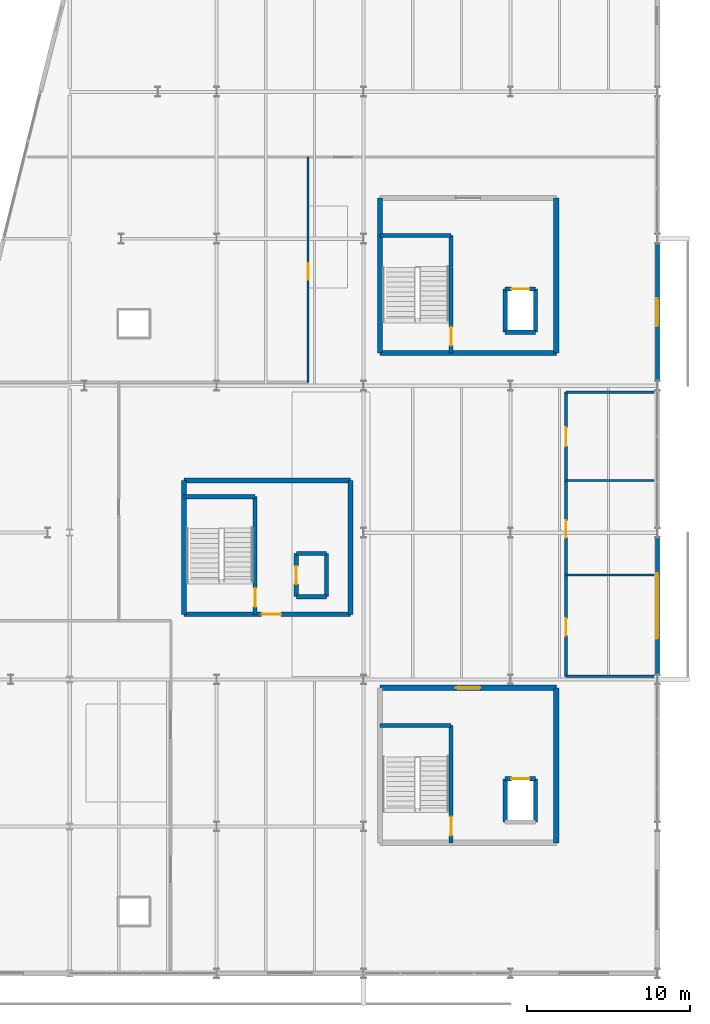
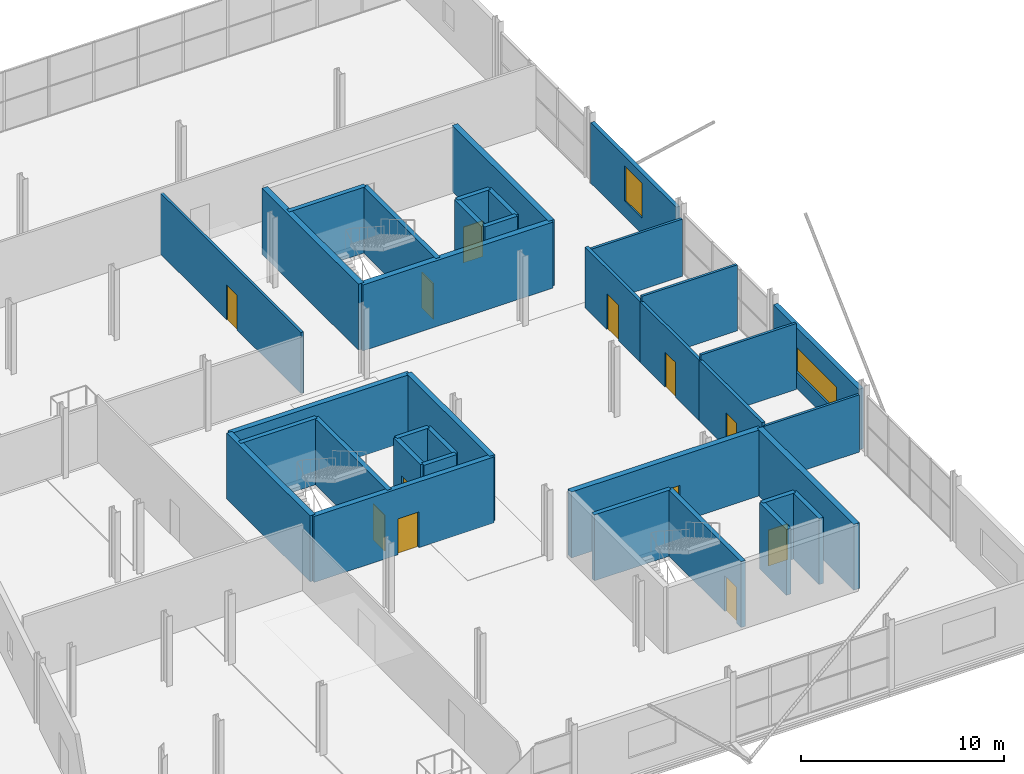
# One storey, part 56 of 59: 36 walls, 12 doors, 2 windows, 14 openings.
"""IFC4 building model written with IfcOpenShell, lengths in metres."""

from ifc_helpers import new_model, si_unit, direction, frame, frame_2d, origin, place, context, subcontext, project, spatial, rectangle, extrude, material, layer, layer_set, type_object, element, fill, save


model = new_model("IFC4")

# Units and contexts
model_context = context("Model", 3, precision=1e-05, world=origin(), true_north=direction((0.0, 1.0)))
body_context = subcontext(model_context, "Body", "Model", "MODEL_VIEW")
ifc_project = project(units=[si_unit("LENGTHUNIT", "METRE"), si_unit("AREAUNIT", "SQUARE_METRE"), si_unit("VOLUMEUNIT", "CUBIC_METRE"), si_unit("PLANEANGLEUNIT", "RADIAN"), si_unit("MASSUNIT", "GRAM", prefix="KILO")], contexts=[model_context])

# Site, building, storey
site_placement = place(None, origin())
site = spatial("IfcSite", under=ifc_project, at=site_placement, CompositionType="ELEMENT")
building_placement = place(site_placement, origin())
building = spatial("IfcBuilding", under=site, at=building_placement, Name="Deido Ridge Mobility Hub", CompositionType="ELEMENT")
storey_placement = place(building_placement, frame((0.0, 0.0, 21.0)))
storey = spatial("IfcBuildingStorey", under=building, at=storey_placement, Name="L05", CompositionType="ELEMENT", Elevation=21.0)

# Wall, opening, window
ifc_material_1 = material(Name="Powder-coated aluminium cladding EN AW-3003", Category="aluminium")
ifc_layer_1 = layer(ifc_material_1, 0.22509765625, Name="Powder-coated aluminium cladding EN AW-3003")
ifc_layer_set_1 = layer_set([ifc_layer_1], Name="Powder-coated aluminium cladding EN AW-3003")
wall_type_1 = type_object("IfcWallType", Name="WL-EXT-ALU-225", PredefinedType="STANDARD", material=ifc_layer_set_1)
wall_1_placement = place(storey_placement, frame((180.0, 36.300048828125, 0.0), z_axis=(0.0, 0.0, 1.0), x_axis=(0.0, 1.0, 0.0)))
wall_1 = element("IfcWall", 1, at=wall_1_placement, inside=storey, type_object=wall_type_1, Name="Exterior wall EW6", PredefinedType="STANDARD", context=body_context, shape_type="SweptSolid", body=[
    extrude(rectangle(XDim=8.39990234375, YDim=0.22509765625, at=frame_2d((4.199951171875, 0.0))), origin(), (0.0, 0.0, 1.0), 3.635009765625),
])
opening_1_placement = place(wall_1_placement, frame((3.35009765625, 0.0, 0.949951171875)))
opening_1 = element("IfcOpeningElement", 2, at=opening_1_placement, cuts=wall_1, Name="Opening W22", PredefinedType="OPENING", context=body_context, shape_type="SweptSolid", body=[
    extrude(rectangle(XDim=1.699951171875, YDim=2.10009765625, at=frame_2d((0.85009765625, 1.050048828125))), frame((0.0, 0.12255859375, 0.0), z_axis=(0.0, -1.0, 0.0), x_axis=(1.0, 0.0, 0.0)), (0.0, 0.0, 1.0), 0.2451171875),
])
ifc_material_2 = material(Name="Laminated solar-control low-E glass", Category="glass")
window_type_1 = type_object("IfcWindowType", Name="WN-ALU-1700X2100", PartitioningType="SINGLE_PANEL", PredefinedType="WINDOW", material=ifc_material_2)
window_1_placement = place(opening_1_placement, origin())
window_1 = element("IfcWindow", 3, at=window_1_placement, inside=storey, type_object=window_type_1, Name="Exterior window W22", OverallHeight=2.10009765625, OverallWidth=1.699951171875, PartitioningType="SINGLE_PANEL", PredefinedType="WINDOW", context=body_context, shape_type="SweptSolid", body=[
    extrude(rectangle(XDim=1.699951171875, YDim=2.10009765625, at=frame_2d((0.85009765625, 1.050048828125))), frame((0.0, 0.030029296875, 0.0), z_axis=(0.0, -1.0, 0.0), x_axis=(1.0, 0.0, 0.0)), (0.0, 0.0, 1.0), 0.06005859375),
])
fill(opening_1, window_1)

ifc_material_3 = material(Name="Concrete blockwork masonry", Category="masonry")
ifc_layer_2 = layer(ifc_material_3, 0.264892578125, Name="Concrete blockwork masonry")
ifc_layer_set_2 = layer_set([ifc_layer_2], Name="Concrete blockwork masonry")
wall_type_2 = type_object("IfcWallType", Name="WL-EXT-BLK-265", PredefinedType="STANDARD", material=ifc_layer_set_2)
wall_2_placement = place(storey_placement, frame((180.0, 18.300048828125, 0.0), z_axis=(0.0, 0.0, 1.0), x_axis=(0.0, 1.0, 0.0)))
wall_2 = element("IfcWall", 4, at=wall_2_placement, inside=storey, type_object=wall_type_2, Name="Exterior wall EW3", PredefinedType="STANDARD", context=body_context, shape_type="SweptSolid", body=[
    extrude(rectangle(XDim=8.39990234375, YDim=0.264892578125, at=frame_2d((4.199951171875, 0.0))), origin(), (0.0, 0.0, 1.0), 3.635009765625),
])
opening_2_placement = place(wall_2_placement, frame((2.199951171875, 0.0, 0.949951171875)))
opening_2 = element("IfcOpeningElement", 5, at=opening_2_placement, cuts=wall_2, Name="Opening W20", PredefinedType="OPENING", context=body_context, shape_type="SweptSolid", body=[
    extrude(rectangle(XDim=4.0, YDim=1.5, at=frame_2d((2.0, 0.75))), frame((0.0, 0.142578125, 0.0), z_axis=(0.0, -1.0, 0.0), x_axis=(1.0, 0.0, 0.0)), (0.0, 0.0, 1.0), 0.284912109375),
])
window_type_2 = type_object("IfcWindowType", Name="WN-ALU-4000X1500", PartitioningType="DOUBLE_PANEL_VERTICAL", PredefinedType="WINDOW", material=ifc_material_2)
window_2_placement = place(opening_2_placement, origin())
window_2 = element("IfcWindow", 6, at=window_2_placement, inside=storey, type_object=window_type_2, Name="Exterior window W20", OverallHeight=1.5, OverallWidth=4.0, PartitioningType="SINGLE_PANEL", PredefinedType="WINDOW", context=body_context, shape_type="SweptSolid", body=[
    extrude(rectangle(XDim=4.0, YDim=1.5, at=frame_2d((2.0, 0.75))), frame((0.0, 0.030029296875, 0.0), z_axis=(0.0, -1.0, 0.0), x_axis=(1.0, 0.0, 0.0)), (0.0, 0.0, 1.0), 0.06005859375),
])
fill(opening_2, window_2)

# Walls
ifc_layer_3 = layer(ifc_material_3, 0.139892578125, Name="Concrete blockwork masonry")
ifc_layer_set_3 = layer_set([ifc_layer_3], Name="Concrete blockwork masonry")
wall_type_3 = type_object("IfcWallType", Name="WL-PRT-BLK-140", PredefinedType="PARTITIONING", material=ifc_layer_set_3)
wall_3_placement = place(storey_placement, frame((174.39990234375, 18.199951171875, 0.0), z_axis=(0.0, 0.0, 1.0), x_axis=(1.0, 0.0, 0.0)))
element("IfcWall", 7, at=wall_3_placement, inside=storey, type_object=wall_type_3, Name="WC cross wall (L05)", PredefinedType="PARTITIONING", context=body_context, shape_type="SweptSolid", body=[
    extrude(rectangle(XDim=5.400146484375, YDim=0.139892578125, at=frame_2d((2.7001953125, 0.0))), origin(), (0.0, 0.0, 1.0), 3.43505859375),
])
for number, where, z_axis, x_axis, name in (
    (8, (174.39990234375, 24.39990234375, 0.0), (0.0, 0.0, 1.0), (1.0, 0.0, 0.0), "WC cross wall (L05)"),
    (9, (174.39990234375, 30.199951171875, 0.0), (0.0, 0.0, 1.0), (1.0, 0.0, 0.0), "WC cross wall (L05)"),
):
    element("IfcWall", number, at=place(storey_placement, frame(where, z_axis=z_axis, x_axis=x_axis)), inside=storey, type_object=wall_type_3, Name=name, PredefinedType="PARTITIONING", context=body_context, shape_type="SweptSolid", body=[
        extrude(rectangle(XDim=5.400146484375, YDim=0.139892578125, at=frame_2d((2.7001953125, 0.0))), origin(), (0.0, 0.0, 1.0), 3.9599609375),
    ])
wall_4_placement = place(storey_placement, frame((174.39990234375, 35.60009765625, 0.0), z_axis=(0.0, 0.0, 1.0), x_axis=(1.0, 0.0, 0.0)))
element("IfcWall", 10, at=wall_4_placement, inside=storey, type_object=wall_type_3, Name="WC cross wall (L05)", PredefinedType="PARTITIONING", context=body_context, shape_type="SweptSolid", body=[
    extrude(rectangle(XDim=5.400146484375, YDim=0.139892578125, at=frame_2d((2.7001953125, 0.0))), origin(), (0.0, 0.0, 1.0), 3.43505859375),
])

# Wall, opening, door
wall_5_placement = place(storey_placement, frame((158.60009765625, 36.199951171875, 0.0), z_axis=(0.0, 0.0, 1.0), x_axis=(0.0, 1.0, 0.0)))
wall_5 = element("IfcWall", 11, at=wall_5_placement, inside=storey, type_object=wall_type_3, Name="V6 north-west room wall (L05)", PredefinedType="PARTITIONING", context=body_context, shape_type="SweptSolid", body=[
    extrude(rectangle(XDim=13.800048828125, YDim=0.139892578125, at=frame_2d((6.89990234375, 0.0))), origin(), (0.0, 0.0, 1.0), 3.6650390625),
])
opening_3_placement = place(wall_5_placement, frame((6.300048828125, 0.0, 0.0)))
opening_3 = element("IfcOpeningElement", 12, at=opening_3_placement, cuts=wall_5, Name="Opening DR-L05-187", PredefinedType="OPENING", context=body_context, shape_type="SweptSolid", body=[
    extrude(rectangle(XDim=1.0, YDim=2.10009765625, at=frame_2d((0.5, 1.050048828125))), frame((0.0, 0.080078125, 0.0), z_axis=(0.0, -1.0, 0.0), x_axis=(1.0, 0.0, 0.0)), (0.0, 0.0, 1.0), 0.159912109375),
])
ifc_material_4 = material(Name="Treated tropical hardwood timber D40", Category="wood")
door_type_1 = type_object("IfcDoorType", Name="DR-INT-1000X2100", OperationType="NOTDEFINED", PredefinedType="DOOR", material=ifc_material_4)
door_1_placement = place(opening_3_placement, origin())
door_1 = element("IfcDoor", 13, at=door_1_placement, inside=storey, type_object=door_type_1, Name="DR-I0187 V6 north-west room door (L05)", OperationType="SINGLE_SWING_LEFT", OverallHeight=2.10009765625, OverallWidth=1.0, PredefinedType="DOOR", context=body_context, shape_type="SweptSolid", body=[
    extrude(rectangle(XDim=1.0, YDim=2.10009765625, at=frame_2d((0.5, 1.050048828125))), frame((0.0, 0.02490234375, 0.0), z_axis=(0.0, -1.0, 0.0), x_axis=(1.0, 0.0, 0.0)), (0.0, 0.0, 1.0), 0.050048828125),
])
fill(opening_3, door_1)

ifc_layer_4 = layer(ifc_material_3, 0.169921875, Name="Concrete blockwork masonry")
ifc_layer_set_4 = layer_set([ifc_layer_4], Name="Concrete blockwork masonry")
wall_type_4 = type_object("IfcWallType", Name="WL-PRT-BLK-170", PredefinedType="PARTITIONING", material=ifc_layer_set_4)
wall_6_placement = place(storey_placement, frame((174.39990234375, 24.39990234375, 0.0), z_axis=(0.0, 0.0, 1.0), x_axis=(0.0, 1.0, 0.0)))
wall_6 = element("IfcWall", 14, at=wall_6_placement, inside=storey, type_object=wall_type_4, Name="Female WC west wall (L05)", PredefinedType="PARTITIONING", context=body_context, shape_type="SweptSolid", body=[
    extrude(rectangle(XDim=5.800048828125, YDim=0.169921875, at=frame_2d((2.89990234375, 0.0))), origin(), (0.0, 0.0, 1.0), 3.635009765625),
])
opening_4_placement = place(wall_6_placement, frame((2.300048828125, 0.0, 0.0)))
opening_4 = element("IfcOpeningElement", 15, at=opening_4_placement, cuts=wall_6, Name="Opening DR-L05-182", PredefinedType="OPENING", context=body_context, shape_type="SweptSolid", body=[
    extrude(rectangle(XDim=1.050048828125, YDim=2.10009765625, at=frame_2d((0.52490234375, 1.050048828125))), frame((0.0, 0.094970703125, 0.0), z_axis=(0.0, -1.0, 0.0), x_axis=(1.0, 0.0, 0.0)), (0.0, 0.0, 1.0), 0.18994140625),
])
ifc_material_5 = material(Name="Galvanised steel work", Category="steel")
door_type_2 = type_object("IfcDoorType", Name="DR-FD60-1050X2100", OperationType="NOTDEFINED", PredefinedType="DOOR", material=ifc_material_5)
door_2_placement = place(opening_4_placement, origin())
door_2 = element("IfcDoor", 16, at=door_2_placement, inside=storey, type_object=door_type_2, Name="DR-I0182 Female WC door (L05)", OperationType="SINGLE_SWING_RIGHT", OverallHeight=2.10009765625, OverallWidth=1.050048828125, PredefinedType="DOOR", context=body_context, shape_type="SweptSolid", body=[
    extrude(rectangle(XDim=1.050048828125, YDim=2.10009765625, at=frame_2d((0.52490234375, 1.050048828125))), frame((0.0, 0.02490234375, 0.0), z_axis=(0.0, -1.0, 0.0), x_axis=(1.0, 0.0, 0.0)), (0.0, 0.0, 1.0), 0.050048828125),
])
fill(opening_4, door_2)

ifc_layer_5 = layer(ifc_material_3, 0.179931640625, Name="Concrete blockwork masonry")
ifc_layer_set_5 = layer_set([ifc_layer_5], Name="Concrete blockwork masonry")
wall_type_5 = type_object("IfcWallType", Name="WL-PRT-BLK-180", PredefinedType="PARTITIONING", material=ifc_layer_set_5)
wall_7_placement = place(storey_placement, frame((174.39990234375, 18.199951171875, 0.0), z_axis=(0.0, 0.0, 1.0), x_axis=(0.0, 1.0, 0.0)))
wall_7 = element("IfcWall", 17, at=wall_7_placement, inside=storey, type_object=wall_type_5, Name="Male WC west wall (L05)", PredefinedType="PARTITIONING", context=body_context, shape_type="SweptSolid", body=[
    extrude(rectangle(XDim=6.199951171875, YDim=0.179931640625, at=frame_2d((3.10009765625, 0.0))), origin(), (0.0, 0.0, 1.0), 3.635009765625),
])
opening_5_placement = place(wall_7_placement, frame((2.5, 0.0, 0.0)))
opening_5 = element("IfcOpeningElement", 18, at=opening_5_placement, cuts=wall_7, Name="Opening DR-L05-181", PredefinedType="OPENING", context=body_context, shape_type="SweptSolid", body=[
    extrude(rectangle(XDim=1.050048828125, YDim=2.10009765625, at=frame_2d((0.52490234375, 1.050048828125))), frame((0.0, 0.10009765625, 0.0), z_axis=(0.0, -1.0, 0.0), x_axis=(1.0, 0.0, 0.0)), (0.0, 0.0, 1.0), 0.199951171875),
])
door_3_placement = place(opening_5_placement, origin())
door_3 = element("IfcDoor", 19, at=door_3_placement, inside=storey, type_object=door_type_2, Name="DR-I0181 Male WC door (L05)", OperationType="SINGLE_SWING_LEFT", OverallHeight=2.10009765625, OverallWidth=1.050048828125, PredefinedType="DOOR", context=body_context, shape_type="SweptSolid", body=[
    extrude(rectangle(XDim=1.050048828125, YDim=2.10009765625, at=frame_2d((0.52490234375, 1.050048828125))), frame((0.0, 0.02490234375, 0.0), z_axis=(0.0, -1.0, 0.0), x_axis=(1.0, 0.0, 0.0)), (0.0, 0.0, 1.0), 0.050048828125),
])
fill(opening_5, door_3)

wall_8_placement = place(storey_placement, frame((174.39990234375, 30.199951171875, 0.0), z_axis=(0.0, 0.0, 1.0), x_axis=(0.0, 1.0, 0.0)))
wall_8 = element("IfcWall", 20, at=wall_8_placement, inside=storey, type_object=wall_type_5, Name="Accessible WC west wall (L05)", PredefinedType="PARTITIONING", context=body_context, shape_type="SweptSolid", body=[
    extrude(rectangle(XDim=5.400146484375, YDim=0.179931640625, at=frame_2d((2.7001953125, 0.0))), origin(), (0.0, 0.0, 1.0), 3.635009765625),
])
opening_6_placement = place(wall_8_placement, frame((2.10009765625, 0.0, 0.0)))
opening_6 = element("IfcOpeningElement", 21, at=opening_6_placement, cuts=wall_8, Name="Opening DR-L05-183", PredefinedType="OPENING", context=body_context, shape_type="SweptSolid", body=[
    extrude(rectangle(XDim=1.14990234375, YDim=2.14990234375, at=frame_2d((0.574951171875, 1.074951171875))), frame((0.0, 0.10009765625, 0.0), z_axis=(0.0, -1.0, 0.0), x_axis=(1.0, 0.0, 0.0)), (0.0, 0.0, 1.0), 0.199951171875),
])
door_type_3 = type_object("IfcDoorType", Name="DR-FD60-1150X2150", OperationType="NOTDEFINED", PredefinedType="DOOR", material=ifc_material_5)
door_4_placement = place(opening_6_placement, origin())
door_4 = element("IfcDoor", 22, at=door_4_placement, inside=storey, type_object=door_type_3, Name="DR-I0183 Accessible WC door (L05)", OperationType="SINGLE_SWING_LEFT", OverallHeight=2.14990234375, OverallWidth=1.14990234375, PredefinedType="DOOR", context=body_context, shape_type="SweptSolid", body=[
    extrude(rectangle(XDim=1.14990234375, YDim=2.14990234375, at=frame_2d((0.574951171875, 1.074951171875))), frame((0.0, 0.02490234375, 0.0), z_axis=(0.0, -1.0, 0.0), x_axis=(1.0, 0.0, 0.0)), (0.0, 0.0, 1.0), 0.050048828125),
])
fill(opening_6, door_4)

ifc_material_6 = material(Name="Concrete C40/50", Category="concrete")
ifc_layer_6 = layer(ifc_material_6, 0.25, Name="Concrete C40/50")
ifc_layer_set_6 = layer_set([ifc_layer_6], Name="Concrete C40/50")
wall_type_6 = type_object("IfcWallType", Name="WL-SHR-RC-250", PredefinedType="SHEAR", material=ifc_layer_set_6)
wall_9_placement = place(storey_placement, frame((167.360107421875, 8.0, 0.0), z_axis=(0.0, 0.0, 1.0), x_axis=(0.0, 1.0, 0.0)))
wall_9 = element("IfcWall", 23, at=wall_9_placement, inside=storey, type_object=wall_type_6, Name="C1 stair shaft east wall", PredefinedType="SHEAR", context=body_context, shape_type="SweptSolid", body=[
    extrude(rectangle(XDim=7.199951171875, YDim=0.25, at=frame_2d((3.60009765625, 0.0))), origin(), (0.0, 0.0, 1.0), 3.9599609375),
])
opening_7_placement = place(wall_9_placement, frame((0.449951171875, 0.0, 0.0)))
opening_7 = element("IfcOpeningElement", 24, at=opening_7_placement, cuts=wall_9, Name="Opening FD-C1-L05", PredefinedType="OPENING", context=body_context, shape_type="SweptSolid", body=[
    extrude(rectangle(XDim=1.14990234375, YDim=2.14990234375, at=frame_2d((0.574951171875, 1.074951171875))), frame((0.0, 0.135009765625, 0.0), z_axis=(0.0, -1.0, 0.0), x_axis=(1.0, 0.0, 0.0)), (0.0, 0.0, 1.0), 0.27001953125),
])
door_5_placement = place(opening_7_placement, origin())
door_5 = element("IfcDoor", 25, at=door_5_placement, inside=storey, type_object=door_type_3, Name="DR-I0019 C1 protected stair door (L05)", OperationType="SINGLE_SWING_LEFT", OverallHeight=2.14990234375, OverallWidth=1.14990234375, PredefinedType="DOOR", context=body_context, shape_type="SweptSolid", body=[
    extrude(rectangle(XDim=1.14990234375, YDim=2.14990234375, at=frame_2d((0.574951171875, 1.074951171875))), frame((0.0, 0.02490234375, 0.0), z_axis=(0.0, -1.0, 0.0), x_axis=(1.0, 0.0, 0.0)), (0.0, 0.0, 1.0), 0.050048828125),
])
fill(opening_7, door_5)

# Walls
wall_10_placement = place(storey_placement, frame((163.0, 15.199951171875, 0.0), z_axis=(0.0, 0.0, 1.0), x_axis=(1.0, 0.0, 0.0)))
element("IfcWall", 26, at=wall_10_placement, inside=storey, type_object=wall_type_6, Name="C1 stair shaft north wall", PredefinedType="SHEAR", context=body_context, shape_type="SweptSolid", body=[
    extrude(rectangle(XDim=4.360107421875, YDim=0.25, at=frame_2d((2.18017578125, 0.0))), origin(), (0.0, 0.0, 1.0), 3.9599609375),
])
for number, where, z_axis, x_axis, name in (
    (27, (170.675048828125, 9.27490234375, 0.0), (0.0, 0.0, 1.0), (0.0, 1.0, 0.0), "Lift FL1 west shaft wall"),
    (28, (172.52490234375, 9.27490234375, 0.0), (0.0, 0.0, 1.0), (0.0, 1.0, 0.0), "Lift FL1 east shaft wall"),
):
    element("IfcWall", number, at=place(storey_placement, frame(where, z_axis=z_axis, x_axis=x_axis)), inside=storey, type_object=wall_type_6, Name=name, PredefinedType="SHEAR", context=body_context, shape_type="SweptSolid", body=[
        extrude(rectangle(XDim=2.650146484375, YDim=0.25, at=frame_2d((1.3251953125, 0.0))), origin(), (0.0, 0.0, 1.0), 3.9599609375),
    ])

# Wall, opening, door
wall_11_placement = place(storey_placement, frame((170.675048828125, 11.925048828125, 0.0), z_axis=(0.0, 0.0, 1.0), x_axis=(1.0, 0.0, 0.0)))
wall_11 = element("IfcWall", 29, at=wall_11_placement, inside=storey, type_object=wall_type_6, Name="Lift FL1 landing wall", PredefinedType="SHEAR", context=body_context, shape_type="SweptSolid", body=[
    extrude(rectangle(XDim=1.849853515625, YDim=0.25, at=frame_2d((0.9248046875, 0.0))), origin(), (0.0, 0.0, 1.0), 3.9599609375),
])
opening_8_placement = place(wall_11_placement, frame((0.375, 0.0, 0.0)))
opening_8 = element("IfcOpeningElement", 30, at=opening_8_placement, cuts=wall_11, Name="Opening LD-FL1", PredefinedType="OPENING", context=body_context, shape_type="SweptSolid", body=[
    extrude(rectangle(XDim=1.10009765625, YDim=2.14990234375, at=frame_2d((0.550048828125, 1.074951171875))), frame((0.0, 0.135009765625, 0.0), z_axis=(0.0, -1.0, 0.0), x_axis=(1.0, 0.0, 0.0)), (0.0, 0.0, 1.0), 0.27001953125),
])
ifc_material_7 = material(Name="Stainless steel 316", Category="steel")
door_type_4 = type_object("IfcDoorType", Name="DR-LND-PAS-1100X2150", OperationType="DOUBLE_DOOR_SLIDING", PredefinedType="USERDEFINED", material=ifc_material_7)
door_6_placement = place(opening_8_placement, origin())
door_6 = element("IfcDoor", 31, at=door_6_placement, inside=storey, type_object=door_type_4, Name="DR-I0021 Lift FL1 sliding landing door (L05)", ObjectType="LANDING DOOR", OperationType="DOUBLE_DOOR_SLIDING", OverallHeight=2.14990234375, OverallWidth=1.10009765625, PredefinedType="USERDEFINED", context=body_context, shape_type="SweptSolid", body=[
    extrude(rectangle(XDim=1.10009765625, YDim=2.14990234375, at=frame_2d((0.550048828125, 1.074951171875))), frame((0.0, 0.02490234375, 0.0), z_axis=(0.0, -1.0, 0.0), x_axis=(1.0, 0.0, 0.0)), (0.0, 0.0, 1.0), 0.050048828125),
])
fill(opening_8, door_6)

wall_12_placement = place(storey_placement, frame((167.360107421875, 38.0, 0.0), z_axis=(0.0, 0.0, 1.0), x_axis=(0.0, 1.0, 0.0)))
wall_12 = element("IfcWall", 32, at=wall_12_placement, inside=storey, type_object=wall_type_6, Name="C2 stair shaft east wall", PredefinedType="SHEAR", context=body_context, shape_type="SweptSolid", body=[
    extrude(rectangle(XDim=7.199951171875, YDim=0.25, at=frame_2d((3.60009765625, 0.0))), origin(), (0.0, 0.0, 1.0), 3.9599609375),
])
opening_9_placement = place(wall_12_placement, frame((0.449951171875, 0.0, 0.0)))
opening_9 = element("IfcOpeningElement", 33, at=opening_9_placement, cuts=wall_12, Name="Opening FD-C2-L05", PredefinedType="OPENING", context=body_context, shape_type="SweptSolid", body=[
    extrude(rectangle(XDim=1.14990234375, YDim=2.14990234375, at=frame_2d((0.574951171875, 1.074951171875))), frame((0.0, 0.135009765625, 0.0), z_axis=(0.0, -1.0, 0.0), x_axis=(1.0, 0.0, 0.0)), (0.0, 0.0, 1.0), 0.27001953125),
])
door_7_placement = place(opening_9_placement, origin())
door_7 = element("IfcDoor", 34, at=door_7_placement, inside=storey, type_object=door_type_3, Name="DR-I0043 C2 protected stair door (L05)", OperationType="SINGLE_SWING_LEFT", OverallHeight=2.14990234375, OverallWidth=1.14990234375, PredefinedType="DOOR", context=body_context, shape_type="SweptSolid", body=[
    extrude(rectangle(XDim=1.14990234375, YDim=2.14990234375, at=frame_2d((0.574951171875, 1.074951171875))), frame((0.0, 0.02490234375, 0.0), z_axis=(0.0, -1.0, 0.0), x_axis=(1.0, 0.0, 0.0)), (0.0, 0.0, 1.0), 0.050048828125),
])
fill(opening_9, door_7)

# Walls
wall_13_placement = place(storey_placement, frame((163.0, 45.199951171875, 0.0), z_axis=(0.0, 0.0, 1.0), x_axis=(1.0, 0.0, 0.0)))
element("IfcWall", 35, at=wall_13_placement, inside=storey, type_object=wall_type_6, Name="C2 stair shaft north wall", PredefinedType="SHEAR", context=body_context, shape_type="SweptSolid", body=[
    extrude(rectangle(XDim=4.360107421875, YDim=0.25, at=frame_2d((2.18017578125, 0.0))), origin(), (0.0, 0.0, 1.0), 3.9599609375),
])
wall_14_placement = place(storey_placement, frame((170.675048828125, 39.27490234375, 0.0), z_axis=(0.0, 0.0, 1.0), x_axis=(1.0, 0.0, 0.0)))
element("IfcWall", 36, at=wall_14_placement, inside=storey, type_object=wall_type_6, Name="Lift FL2 rear shaft wall", PredefinedType="SHEAR", context=body_context, shape_type="SweptSolid", body=[
    extrude(rectangle(XDim=1.849853515625, YDim=0.25, at=frame_2d((0.9248046875, 0.0))), origin(), (0.0, 0.0, 1.0), 3.9599609375),
])
for number, where, z_axis, x_axis, name in (
    (37, (170.675048828125, 39.27490234375, 0.0), (0.0, 0.0, 1.0), (0.0, 1.0, 0.0), "Lift FL2 west shaft wall"),
    (38, (172.52490234375, 39.27490234375, 0.0), (0.0, 0.0, 1.0), (0.0, 1.0, 0.0), "Lift FL2 east shaft wall"),
):
    element("IfcWall", number, at=place(storey_placement, frame(where, z_axis=z_axis, x_axis=x_axis)), inside=storey, type_object=wall_type_6, Name=name, PredefinedType="SHEAR", context=body_context, shape_type="SweptSolid", body=[
        extrude(rectangle(XDim=2.650146484375, YDim=0.25, at=frame_2d((1.3251953125, 0.0))), origin(), (0.0, 0.0, 1.0), 3.9599609375),
    ])

# Wall, opening, door
wall_15_placement = place(storey_placement, frame((170.675048828125, 41.925048828125, 0.0), z_axis=(0.0, 0.0, 1.0), x_axis=(1.0, 0.0, 0.0)))
wall_15 = element("IfcWall", 39, at=wall_15_placement, inside=storey, type_object=wall_type_6, Name="Lift FL2 landing wall", PredefinedType="SHEAR", context=body_context, shape_type="SweptSolid", body=[
    extrude(rectangle(XDim=1.849853515625, YDim=0.25, at=frame_2d((0.9248046875, 0.0))), origin(), (0.0, 0.0, 1.0), 3.9599609375),
])
opening_10_placement = place(wall_15_placement, frame((0.375, 0.0, 0.0)))
opening_10 = element("IfcOpeningElement", 40, at=opening_10_placement, cuts=wall_15, Name="Opening LD-FL2", PredefinedType="OPENING", context=body_context, shape_type="SweptSolid", body=[
    extrude(rectangle(XDim=1.10009765625, YDim=2.14990234375, at=frame_2d((0.550048828125, 1.074951171875))), frame((0.0, 0.135009765625, 0.0), z_axis=(0.0, -1.0, 0.0), x_axis=(1.0, 0.0, 0.0)), (0.0, 0.0, 1.0), 0.27001953125),
])
door_8_placement = place(opening_10_placement, origin())
door_8 = element("IfcDoor", 41, at=door_8_placement, inside=storey, type_object=door_type_4, Name="DR-I0045 Lift FL2 sliding landing door (L05)", ObjectType="LANDING DOOR", OperationType="DOUBLE_DOOR_SLIDING", OverallHeight=2.14990234375, OverallWidth=1.10009765625, PredefinedType="USERDEFINED", context=body_context, shape_type="SweptSolid", body=[
    extrude(rectangle(XDim=1.10009765625, YDim=2.14990234375, at=frame_2d((0.550048828125, 1.074951171875))), frame((0.0, 0.02490234375, 0.0), z_axis=(0.0, -1.0, 0.0), x_axis=(1.0, 0.0, 0.0)), (0.0, 0.0, 1.0), 0.050048828125),
])
fill(opening_10, door_8)

wall_16_placement = place(storey_placement, frame((155.360107421875, 22.0, 0.0), z_axis=(0.0, 0.0, 1.0), x_axis=(0.0, 1.0, 0.0)))
wall_16 = element("IfcWall", 42, at=wall_16_placement, inside=storey, type_object=wall_type_6, Name="C3 stair shaft east wall", PredefinedType="SHEAR", context=body_context, shape_type="SweptSolid", body=[
    extrude(rectangle(XDim=7.199951171875, YDim=0.25, at=frame_2d((3.60009765625, 0.0))), origin(), (0.0, 0.0, 1.0), 3.9599609375),
])
opening_11_placement = place(wall_16_placement, frame((0.449951171875, 0.0, 0.0)))
opening_11 = element("IfcOpeningElement", 43, at=opening_11_placement, cuts=wall_16, Name="Opening FD-C3-L05", PredefinedType="OPENING", context=body_context, shape_type="SweptSolid", body=[
    extrude(rectangle(XDim=1.14990234375, YDim=2.14990234375, at=frame_2d((0.574951171875, 1.074951171875))), frame((0.0, 0.135009765625, 0.0), z_axis=(0.0, -1.0, 0.0), x_axis=(1.0, 0.0, 0.0)), (0.0, 0.0, 1.0), 0.27001953125),
])
door_9_placement = place(opening_11_placement, origin())
door_9 = element("IfcDoor", 44, at=door_9_placement, inside=storey, type_object=door_type_3, Name="DR-I0073 C3 protected stair door (L05)", OperationType="SINGLE_SWING_LEFT", OverallHeight=2.14990234375, OverallWidth=1.14990234375, PredefinedType="DOOR", context=body_context, shape_type="SweptSolid", body=[
    extrude(rectangle(XDim=1.14990234375, YDim=2.14990234375, at=frame_2d((0.574951171875, 1.074951171875))), frame((0.0, 0.02490234375, 0.0), z_axis=(0.0, -1.0, 0.0), x_axis=(1.0, 0.0, 0.0)), (0.0, 0.0, 1.0), 0.050048828125),
])
fill(opening_11, door_9)

# Walls
wall_17_placement = place(storey_placement, frame((151.0, 29.199951171875, 0.0), z_axis=(0.0, 0.0, 1.0), x_axis=(1.0, 0.0, 0.0)))
element("IfcWall", 45, at=wall_17_placement, inside=storey, type_object=wall_type_6, Name="C3 stair shaft north wall", PredefinedType="SHEAR", context=body_context, shape_type="SweptSolid", body=[
    extrude(rectangle(XDim=4.360107421875, YDim=0.25, at=frame_2d((2.18017578125, 0.0))), origin(), (0.0, 0.0, 1.0), 3.9599609375),
])
for number, where, z_axis, x_axis, name in (
    (46, (157.875, 23.074951171875, 0.0), (0.0, 0.0, 1.0), (1.0, 0.0, 0.0), "Lift PL1 south shaft wall"),
    (47, (157.875, 25.72509765625, 0.0), (0.0, 0.0, 1.0), (1.0, 0.0, 0.0), "Lift PL1 north shaft wall"),
):
    element("IfcWall", number, at=place(storey_placement, frame(where, z_axis=z_axis, x_axis=x_axis)), inside=storey, type_object=wall_type_6, Name=name, PredefinedType="SHEAR", context=body_context, shape_type="SweptSolid", body=[
        extrude(rectangle(XDim=1.85009765625, YDim=0.25, at=frame_2d((0.925048828125, 0.0))), origin(), (0.0, 0.0, 1.0), 3.9599609375),
    ])
wall_18_placement = place(storey_placement, frame((159.72509765625, 23.074951171875, 0.0), z_axis=(0.0, 0.0, 1.0), x_axis=(0.0, 1.0, 0.0)))
element("IfcWall", 48, at=wall_18_placement, inside=storey, type_object=wall_type_6, Name="Lift PL1 rear shaft wall", PredefinedType="SHEAR", context=body_context, shape_type="SweptSolid", body=[
    extrude(rectangle(XDim=2.650146484375, YDim=0.25, at=frame_2d((1.3251953125, 0.0))), origin(), (0.0, 0.0, 1.0), 3.9599609375),
])

# Wall, opening, door
wall_19_placement = place(storey_placement, frame((157.875, 23.074951171875, 0.0), z_axis=(0.0, 0.0, 1.0), x_axis=(0.0, 1.0, 0.0)))
wall_19 = element("IfcWall", 49, at=wall_19_placement, inside=storey, type_object=wall_type_6, Name="Lift PL1 landing wall", PredefinedType="SHEAR", context=body_context, shape_type="SweptSolid", body=[
    extrude(rectangle(XDim=2.650146484375, YDim=0.25, at=frame_2d((1.3251953125, 0.0))), origin(), (0.0, 0.0, 1.0), 3.9599609375),
])
opening_12_placement = place(wall_19_placement, frame((0.77490234375, 0.0, 0.0)))
opening_12 = element("IfcOpeningElement", 50, at=opening_12_placement, cuts=wall_19, Name="Opening LD-PL1", PredefinedType="OPENING", context=body_context, shape_type="SweptSolid", body=[
    extrude(rectangle(XDim=1.10009765625, YDim=2.14990234375, at=frame_2d((0.550048828125, 1.074951171875))), frame((0.0, 0.135009765625, 0.0), z_axis=(0.0, -1.0, 0.0), x_axis=(1.0, 0.0, 0.0)), (0.0, 0.0, 1.0), 0.27001953125),
])
door_10_placement = place(opening_12_placement, origin())
door_10 = element("IfcDoor", 51, at=door_10_placement, inside=storey, type_object=door_type_4, Name="DR-I0075 Lift PL1 sliding landing door (L05)", ObjectType="LANDING DOOR", OperationType="DOUBLE_DOOR_SLIDING", OverallHeight=2.14990234375, OverallWidth=1.10009765625, PredefinedType="USERDEFINED", context=body_context, shape_type="SweptSolid", body=[
    extrude(rectangle(XDim=1.10009765625, YDim=2.14990234375, at=frame_2d((0.550048828125, 1.074951171875))), frame((0.0, 0.02490234375, 0.0), z_axis=(0.0, -1.0, 0.0), x_axis=(1.0, 0.0, 0.0)), (0.0, 0.0, 1.0), 0.050048828125),
])
fill(opening_12, door_10)

ifc_layer_7 = layer(ifc_material_6, 0.300048828125, Name="Concrete C40/50")
ifc_layer_set_7 = layer_set([ifc_layer_7], Name="Concrete C40/50")
wall_type_7 = type_object("IfcWallType", Name="WL-SHR-RC-300", PredefinedType="SHEAR", material=ifc_layer_set_7)
wall_20_placement = place(storey_placement, frame((151.0, 22.0, 0.0), z_axis=(0.0, 0.0, 1.0), x_axis=(1.0, 0.0, 0.0)))
wall_20 = element("IfcWall", 52, at=wall_20_placement, inside=storey, type_object=wall_type_7, Name="C3 south shear wall", PredefinedType="SHEAR", context=body_context, shape_type="SweptSolid", body=[
    extrude(rectangle(XDim=10.199951171875, YDim=0.300048828125, at=frame_2d((5.10009765625, 0.0))), origin(), (0.0, 0.0, 1.0), 3.9599609375),
])
opening_13_placement = place(wall_20_placement, frame((4.75, 0.0, 0.0)))
opening_13 = element("IfcOpeningElement", 53, at=opening_13_placement, cuts=wall_20, Name="Opening LD-C3-074", PredefinedType="OPENING", context=body_context, shape_type="SweptSolid", body=[
    extrude(rectangle(XDim=1.199951171875, YDim=2.14990234375, at=frame_2d((0.60009765625, 1.074951171875))), frame((0.0, 0.16015625, 0.0), z_axis=(0.0, -1.0, 0.0), x_axis=(1.0, 0.0, 0.0)), (0.0, 0.0, 1.0), 0.320068359375),
])
door_type_5 = type_object("IfcDoorType", Name="DR-FD60-1200X2150", OperationType="NOTDEFINED", PredefinedType="DOOR", material=ifc_material_5)
door_11_placement = place(opening_13_placement, origin())
door_11 = element("IfcDoor", 54, at=door_11_placement, inside=storey, type_object=door_type_5, Name="DR-I0074 C3 lift lobby door (L05)", OperationType="SINGLE_SWING_RIGHT", OverallHeight=2.14990234375, OverallWidth=1.199951171875, PredefinedType="DOOR", context=body_context, shape_type="SweptSolid", body=[
    extrude(rectangle(XDim=1.199951171875, YDim=2.14990234375, at=frame_2d((0.60009765625, 1.074951171875))), frame((0.0, 0.02490234375, 0.0), z_axis=(0.0, -1.0, 0.0), x_axis=(1.0, 0.0, 0.0)), (0.0, 0.0, 1.0), 0.050048828125),
])
fill(opening_13, door_11)

# Walls
wall_21_placement = place(storey_placement, frame((161.199951171875, 22.0, 0.0), z_axis=(0.0, 0.0, 1.0), x_axis=(0.0, 1.0, 0.0)))
element("IfcWall", 55, at=wall_21_placement, inside=storey, type_object=wall_type_7, Name="C3 east shear wall", PredefinedType="SHEAR", context=body_context, shape_type="SweptSolid", body=[
    extrude(rectangle(XDim=8.199951171875, YDim=0.300048828125, at=frame_2d((4.10009765625, 0.0))), origin(), (0.0, 0.0, 1.0), 3.9599609375),
])
wall_22_placement = place(storey_placement, frame((161.199951171875, 30.199951171875, 0.0), z_axis=(0.0, 0.0, 1.0), x_axis=(-1.0, 0.0, 0.0)))
element("IfcWall", 56, at=wall_22_placement, inside=storey, type_object=wall_type_7, Name="C3 north shear wall", PredefinedType="SHEAR", context=body_context, shape_type="SweptSolid", body=[
    extrude(rectangle(XDim=10.199951171875, YDim=0.300048828125, at=frame_2d((5.10009765625, 0.0))), origin(), (0.0, 0.0, 1.0), 3.9599609375),
])
wall_23_placement = place(storey_placement, frame((151.0, 30.199951171875, 0.0), z_axis=(0.0, 0.0, 1.0), x_axis=(0.0, -1.0, 0.0)))
element("IfcWall", 57, at=wall_23_placement, inside=storey, type_object=wall_type_7, Name="C3 west shear wall", PredefinedType="SHEAR", context=body_context, shape_type="SweptSolid", body=[
    extrude(rectangle(XDim=8.199951171875, YDim=0.300048828125, at=frame_2d((4.10009765625, 0.0))), origin(), (0.0, 0.0, 1.0), 3.9599609375),
])
ifc_layer_8 = layer(ifc_material_6, 0.324951171875, Name="Concrete C40/50")
ifc_layer_set_8 = layer_set([ifc_layer_8], Name="Concrete C40/50")
wall_type_8 = type_object("IfcWallType", Name="WL-SHR-RC-325", PredefinedType="SHEAR", material=ifc_layer_set_8)
wall_24_placement = place(storey_placement, frame((173.800048828125, 8.0, 0.0), z_axis=(0.0, 0.0, 1.0), x_axis=(0.0, 1.0, 0.0)))
element("IfcWall", 58, at=wall_24_placement, inside=storey, type_object=wall_type_8, Name="C1 east shear wall", PredefinedType="SHEAR", context=body_context, shape_type="SweptSolid", body=[
    extrude(rectangle(XDim=9.5, YDim=0.324951171875, at=frame_2d((4.75, 0.0))), origin(), (0.0, 0.0, 1.0), 3.9599609375),
])

# Wall, opening, door
wall_25_placement = place(storey_placement, frame((173.800048828125, 17.5, 0.0), z_axis=(0.0, 0.0, 1.0), x_axis=(-1.0, 0.0, 0.0)))
wall_25 = element("IfcWall", 59, at=wall_25_placement, inside=storey, type_object=wall_type_8, Name="C1 north shear wall", PredefinedType="SHEAR", context=body_context, shape_type="SweptSolid", body=[
    extrude(rectangle(XDim=10.800048828125, YDim=0.324951171875, at=frame_2d((5.39990234375, 0.0))), origin(), (0.0, 0.0, 1.0), 3.9599609375),
])
opening_14_placement = place(wall_25_placement, frame((4.64990234375, 0.0, 0.0)))
opening_14 = element("IfcOpeningElement", 60, at=opening_14_placement, cuts=wall_25, Name="Opening LD-C1-020", PredefinedType="OPENING", context=body_context, shape_type="SweptSolid", body=[
    extrude(rectangle(XDim=1.5, YDim=2.199951171875, at=frame_2d((0.75, 1.10009765625))), frame((0.0, 0.17236328125, 0.0), z_axis=(0.0, -1.0, 0.0), x_axis=(1.0, 0.0, 0.0)), (0.0, 0.0, 1.0), 0.344970703125),
])
door_type_6 = type_object("IfcDoorType", Name="DR-FD60-1500X2200", OperationType="DOUBLE_DOOR_SINGLE_SWING", PredefinedType="DOOR", material=ifc_material_5)
door_12_placement = place(opening_14_placement, origin())
door_12 = element("IfcDoor", 61, at=door_12_placement, inside=storey, type_object=door_type_6, Name="DR-I0020 C1 firefighting lobby door (L05)", OperationType="DOUBLE_DOOR_SINGLE_SWING", OverallHeight=2.199951171875, OverallWidth=1.5, PredefinedType="DOOR", context=body_context, shape_type="SweptSolid", body=[
    extrude(rectangle(XDim=1.5, YDim=2.199951171875, at=frame_2d((0.75, 1.10009765625))), frame((0.0, 0.02490234375, 0.0), z_axis=(0.0, -1.0, 0.0), x_axis=(1.0, 0.0, 0.0)), (0.0, 0.0, 1.0), 0.050048828125),
])
fill(opening_14, door_12)

# Walls
wall_26_placement = place(storey_placement, frame((163.0, 38.0, 0.0), z_axis=(0.0, 0.0, 1.0), x_axis=(1.0, 0.0, 0.0)))
element("IfcWall", 62, at=wall_26_placement, inside=storey, type_object=wall_type_8, Name="C2 south shear wall", PredefinedType="SHEAR", context=body_context, shape_type="SweptSolid", body=[
    extrude(rectangle(XDim=10.800048828125, YDim=0.324951171875, at=frame_2d((5.39990234375, 0.0))), origin(), (0.0, 0.0, 1.0), 3.9599609375),
])
for number, where, z_axis, x_axis, name in (
    (63, (173.800048828125, 38.0, 0.0), (0.0, 0.0, 1.0), (0.0, 1.0, 0.0), "C2 east shear wall"),
    (64, (163.0, 47.5, 0.0), (0.0, 0.0, 1.0), (0.0, -1.0, 0.0), "C2 west shear wall"),
):
    element("IfcWall", number, at=place(storey_placement, frame(where, z_axis=z_axis, x_axis=x_axis)), inside=storey, type_object=wall_type_8, Name=name, PredefinedType="SHEAR", context=body_context, shape_type="SweptSolid", body=[
        extrude(rectangle(XDim=9.5, YDim=0.324951171875, at=frame_2d((4.75, 0.0))), origin(), (0.0, 0.0, 1.0), 3.9599609375),
    ])

save(model, "model.ifc")
